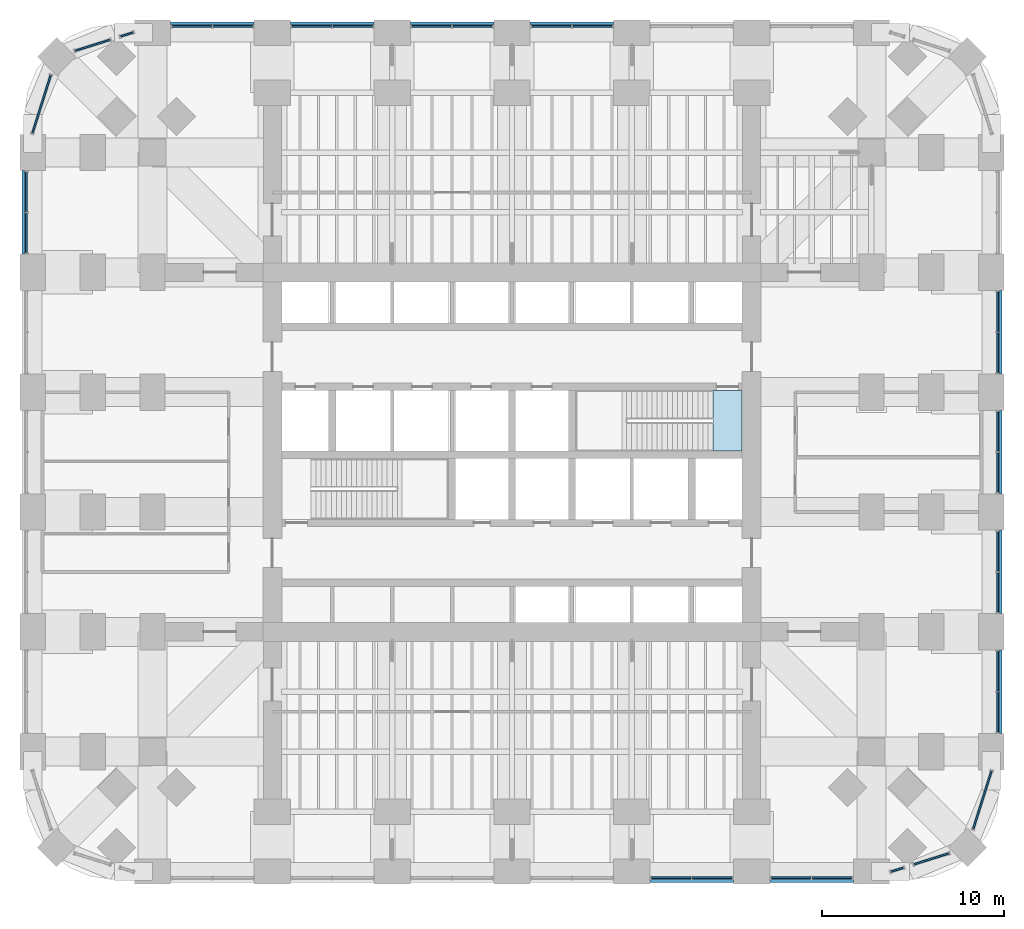
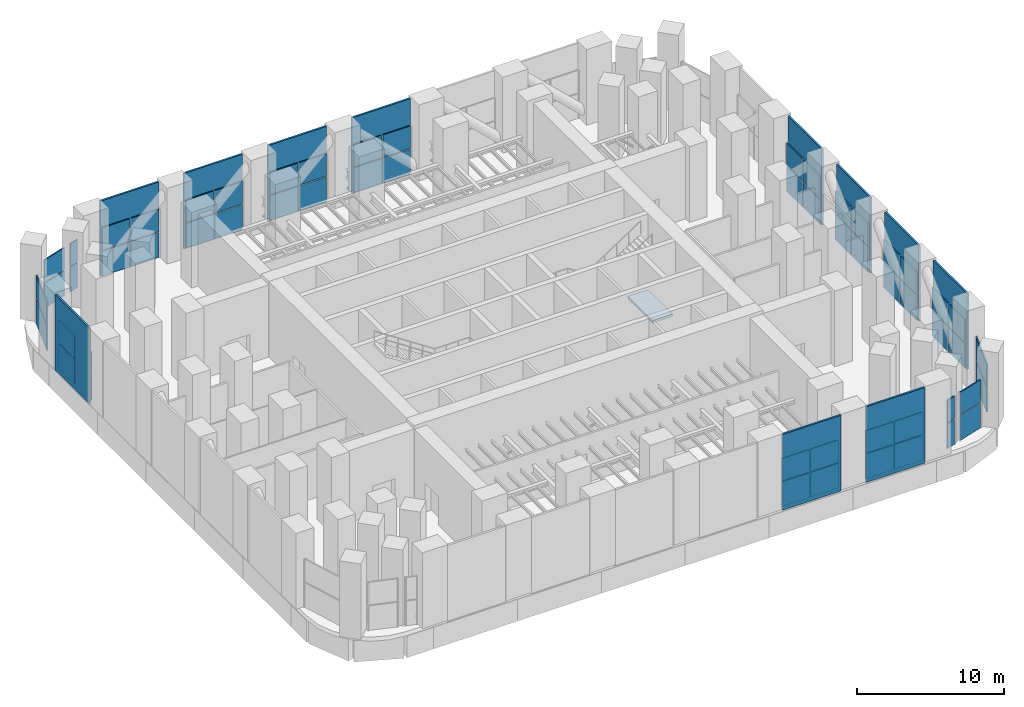
# One storey, part 12 of 17: 67 plates, 1 slab, 18 elements without a shape of their own.
"""IFC4 building model written with IfcOpenShell, lengths in metres."""

from ifc_helpers import new_model, si_unit, direction, frame, origin, origin_2d, place, context, subcontext, project, spatial, polyline, rectangle, outline, extrude, material, layer, layer_set, type_object, element, aggregate, save


model = new_model("IFC4")

# Units and contexts
model_context = context("Model", 3, precision=1e-05, world=origin(), true_north=direction((0.0, 1.0)))
body_context = subcontext(model_context, "Body", "Model", "MODEL_VIEW")
ifc_project = project(units=[si_unit("LENGTHUNIT", "METRE"), si_unit("AREAUNIT", "SQUARE_METRE"), si_unit("VOLUMEUNIT", "CUBIC_METRE"), si_unit("PLANEANGLEUNIT", "RADIAN"), si_unit("MASSUNIT", "GRAM", prefix="KILO")], contexts=[model_context])

# Site, building, storey
site_placement = place(None, origin())
site = spatial("IfcSite", under=ifc_project, at=site_placement, CompositionType="ELEMENT")
building_placement = place(site_placement, origin())
building = spatial("IfcBuilding", under=site, at=building_placement, Name="Cobogo Forest Laboratory Tower", CompositionType="ELEMENT")
storey_placement = place(building_placement, frame((0.0, 0.0, 75.89990234375)))
storey = spatial("IfcBuildingStorey", under=building, at=storey_placement, Name="L17", CompositionType="ELEMENT", Elevation=75.89990234375)

# Plates
ifc_material_1 = material(Name="Pierced concrete block", Category="concrete")
ifc_layer_1 = layer(ifc_material_1, 0.14990234375)
ifc_layer_set_1 = layer_set([ifc_layer_1], Name="CO2 cobogo block screen 150")
plate_type_1 = type_object("IfcPlateType", Name="CO2 cobogo block screen 150", PredefinedType="USERDEFINED", material=ifc_layer_set_1)
for number, where, z_axis, x_axis, name in (
    (1, (36.300048828125, -0.52490234375, -0.14990234375), (0.0, 0.0, 1.0), (1.0, 0.0, 0.0), "Cobogo screen S5 L17"),
    (2, (42.89990234375, -0.52490234375, -0.14990234375), (0.0, 0.0, 1.0), (1.0, 0.0, 0.0), "Cobogo screen S6 L17"),
    (3, (53.324951171875, 9.89990234375, -0.14990234375), (0.0, 0.0, 1.0), (0.0, 1.0, 0.0), "Cobogo screen E1 L17"),
    (4, (53.324951171875, 16.5, -0.14990234375), (0.0, 0.0, 1.0), (0.0, 1.0, 0.0), "Cobogo screen E2 L17"),
    (5, (53.324951171875, 23.10009765625, -0.14990234375), (0.0, 0.0, 1.0), (0.0, 1.0, 0.0), "Cobogo screen E3 L17"),
    (6, (53.324951171875, 29.699951171875, -0.14990234375), (0.0, 0.0, 1.0), (0.0, 1.0, 0.0), "Cobogo screen E4 L17"),
    (7, (9.89990234375, 46.72509765625, -0.14990234375), (0.0, 0.0, 1.0), (1.0, 0.0, 0.0), "Cobogo screen N1 L17"),
    (8, (16.5, 46.72509765625, -0.14990234375), (0.0, 0.0, 1.0), (1.0, 0.0, 0.0), "Cobogo screen N2 L17"),
    (9, (23.10009765625, 46.72509765625, -0.14990234375), (0.0, 0.0, 1.0), (1.0, 0.0, 0.0), "Cobogo screen N3 L17"),
    (10, (29.699951171875, 46.72509765625, -0.14990234375), (0.0, 0.0, 1.0), (1.0, 0.0, 0.0), "Cobogo screen N4 L17"),
    (11, (-0.52490234375, 36.300048828125, -0.14990234375), (0.0, 0.0, 1.0), (0.0, 1.0, 0.0), "Cobogo screen W5 L17"),
):
    element("IfcPlate", number, at=place(storey_placement, frame(where, z_axis=z_axis, x_axis=x_axis)), inside=storey, type_object=plate_type_1, Name=name, ObjectType="COBOGO SCREEN", PredefinedType="USERDEFINED", context=body_context, shape_type="SweptSolid", body=[
        extrude(rectangle(XDim=4.60009765625, YDim=0.14990234375, at=origin_2d()), origin(), (0.0, 0.0, 1.0), 6.300048828125),
    ])

# Curtain wall, plates
ifc_material_2 = material(Name="Aluminium curtain wall", Category="aluminium")
curtain_wall_type = type_object("IfcCurtainWallType", Name="CW-P louvred curtain wall, plant floors", PredefinedType="USERDEFINED", material=ifc_material_2)
curtain_wall_1_placement = place(storey_placement, origin())
curtain_wall_1 = element("IfcCurtainWall", 12, at=curtain_wall_1_placement, inside=storey, type_object=curtain_wall_type, Name="Curtain wall 05 L17", ObjectType="LOUVRED CURTAIN WALL", PredefinedType="USERDEFINED")
ifc_material_3 = material(Name="Aluminium louvre", Category="aluminium")
ifc_layer_2 = layer(ifc_material_3, 0.10009765625)
ifc_layer_set_2 = layer_set([ifc_layer_2], Name="LV-1 aluminium weather louvre panel 100")
plate_type_2 = type_object("IfcPlateType", Name="LV-1 aluminium weather louvre panel 100", PredefinedType="CURTAIN_PANEL", material=ifc_layer_set_2)
plate_1_placement = place(storey_placement, frame((35.169921875, -0.35009765625, 0.0), z_axis=(0.0, 0.0, 1.0), x_axis=(1.0, 0.0, 0.0)))
plate_1 = element("IfcPlate", 13, at=plate_1_placement, type_object=plate_type_2, Name="CW-P panel 1.1", PredefinedType="CURTAIN_PANEL", context=body_context, shape_type="SweptSolid", body=[
    extrude(rectangle(XDim=2.179931640625, YDim=0.10009765625, at=origin_2d()), origin(), (0.0, 0.0, 1.0), 2.06005859375),
])
plate_2_placement = place(storey_placement, frame((35.169921875, -0.35009765625, 2.14013671875), z_axis=(0.0, 0.0, 1.0), x_axis=(1.0, 0.0, 0.0)))
plate_2 = element("IfcPlate", 14, at=plate_2_placement, type_object=plate_type_2, Name="CW-P panel 1.2", PredefinedType="CURTAIN_PANEL", context=body_context, shape_type="SweptSolid", body=[
    extrude(rectangle(XDim=2.179931640625, YDim=0.10009765625, at=origin_2d()), origin(), (0.0, 0.0, 1.0), 1.860107421875),
])
plate_3_placement = place(storey_placement, frame((37.429931640625, -0.35009765625, 0.0), z_axis=(0.0, 0.0, 1.0), x_axis=(1.0, 0.0, 0.0)))
plate_3 = element("IfcPlate", 15, at=plate_3_placement, type_object=plate_type_2, Name="CW-P panel 2.1", PredefinedType="CURTAIN_PANEL", context=body_context, shape_type="SweptSolid", body=[
    extrude(rectangle(XDim=2.179931640625, YDim=0.10009765625, at=origin_2d()), origin(), (0.0, 0.0, 1.0), 2.06005859375),
])
plate_4_placement = place(storey_placement, frame((37.429931640625, -0.35009765625, 2.14013671875), z_axis=(0.0, 0.0, 1.0), x_axis=(1.0, 0.0, 0.0)))
plate_4 = element("IfcPlate", 16, at=plate_4_placement, type_object=plate_type_2, Name="CW-P panel 2.2", PredefinedType="CURTAIN_PANEL", context=body_context, shape_type="SweptSolid", body=[
    extrude(rectangle(XDim=2.179931640625, YDim=0.10009765625, at=origin_2d()), origin(), (0.0, 0.0, 1.0), 1.860107421875),
])
aggregate(curtain_wall_1, [plate_1, plate_2, plate_3, plate_4])

curtain_wall_2_placement = place(storey_placement, origin())
curtain_wall_2 = element("IfcCurtainWall", 17, at=curtain_wall_2_placement, inside=storey, type_object=curtain_wall_type, Name="Curtain wall 06 L17", ObjectType="LOUVRED CURTAIN WALL", PredefinedType="USERDEFINED")
plate_5_placement = place(storey_placement, frame((41.77001953125, -0.35009765625, 0.0), z_axis=(0.0, 0.0, 1.0), x_axis=(1.0, 0.0, 0.0)))
plate_5 = element("IfcPlate", 18, at=plate_5_placement, type_object=plate_type_2, Name="CW-P panel 1.1", PredefinedType="CURTAIN_PANEL", context=body_context, shape_type="SweptSolid", body=[
    extrude(rectangle(XDim=2.179931640625, YDim=0.10009765625, at=origin_2d()), origin(), (0.0, 0.0, 1.0), 2.06005859375),
])
plate_6_placement = place(storey_placement, frame((41.77001953125, -0.35009765625, 2.14013671875), z_axis=(0.0, 0.0, 1.0), x_axis=(1.0, 0.0, 0.0)))
plate_6 = element("IfcPlate", 19, at=plate_6_placement, type_object=plate_type_2, Name="CW-P panel 1.2", PredefinedType="CURTAIN_PANEL", context=body_context, shape_type="SweptSolid", body=[
    extrude(rectangle(XDim=2.179931640625, YDim=0.10009765625, at=origin_2d()), origin(), (0.0, 0.0, 1.0), 1.860107421875),
])
plate_7_placement = place(storey_placement, frame((44.030029296875, -0.35009765625, 0.0), z_axis=(0.0, 0.0, 1.0), x_axis=(1.0, 0.0, 0.0)))
plate_7 = element("IfcPlate", 20, at=plate_7_placement, type_object=plate_type_2, Name="CW-P panel 2.1", PredefinedType="CURTAIN_PANEL", context=body_context, shape_type="SweptSolid", body=[
    extrude(rectangle(XDim=2.179931640625, YDim=0.10009765625, at=origin_2d()), origin(), (0.0, 0.0, 1.0), 2.06005859375),
])
plate_8_placement = place(storey_placement, frame((44.030029296875, -0.35009765625, 2.14013671875), z_axis=(0.0, 0.0, 1.0), x_axis=(1.0, 0.0, 0.0)))
plate_8 = element("IfcPlate", 21, at=plate_8_placement, type_object=plate_type_2, Name="CW-P panel 2.2", PredefinedType="CURTAIN_PANEL", context=body_context, shape_type="SweptSolid", body=[
    extrude(rectangle(XDim=2.179931640625, YDim=0.10009765625, at=origin_2d()), origin(), (0.0, 0.0, 1.0), 1.860107421875),
])
aggregate(curtain_wall_2, [plate_5, plate_6, plate_7, plate_8])

curtain_wall_3_placement = place(storey_placement, origin())
curtain_wall_3 = element("IfcCurtainWall", 22, at=curtain_wall_3_placement, inside=storey, type_object=curtain_wall_type, Name="Curtain wall 07 L17", ObjectType="LOUVRED CURTAIN WALL", PredefinedType="USERDEFINED")
plate_9_placement = place(storey_placement, frame((47.614013671875, 0.0966796875, 0.0), z_axis=(0.0, 0.0, 1.0), x_axis=(0.953581151143, 0.301136162199, 0.0)))
plate_9 = element("IfcPlate", 23, at=plate_9_placement, type_object=plate_type_2, Name="CW-P panel 1.1", PredefinedType="CURTAIN_PANEL", context=body_context, shape_type="SweptSolid", body=[
    extrude(rectangle(XDim=0.70849609375, YDim=0.10009765625, at=origin_2d()), origin(), (0.0, 0.0, 1.0), 2.06005859375),
])
plate_10_placement = place(storey_placement, frame((47.614013671875, 0.0966796875, 2.14013671875), z_axis=(0.0, 0.0, 1.0), x_axis=(0.953581151143, 0.301136162199, 0.0)))
plate_10 = element("IfcPlate", 24, at=plate_10_placement, type_object=plate_type_2, Name="CW-P panel 1.2", PredefinedType="CURTAIN_PANEL", context=body_context, shape_type="SweptSolid", body=[
    extrude(rectangle(XDim=0.70849609375, YDim=0.10009765625, at=origin_2d()), origin(), (0.0, 0.0, 1.0), 1.860107421875),
])
aggregate(curtain_wall_3, [plate_9, plate_10])

curtain_wall_4_placement = place(storey_placement, origin())
curtain_wall_4 = element("IfcCurtainWall", 25, at=curtain_wall_4_placement, inside=storey, type_object=curtain_wall_type, Name="Curtain wall 08 L17", ObjectType="LOUVRED CURTAIN WALL", PredefinedType="USERDEFINED")
plate_11_placement = place(storey_placement, frame((49.507080078125, 0.6943359375, 0.0), z_axis=(0.0, 0.0, 1.0), x_axis=(0.953581348836, 0.301135536184, 0.0)))
plate_11 = element("IfcPlate", 26, at=plate_11_placement, type_object=plate_type_2, Name="CW-P panel 1.1", PredefinedType="CURTAIN_PANEL", context=body_context, shape_type="SweptSolid", body=[
    extrude(rectangle(XDim=1.99853515625, YDim=0.10009765625, at=origin_2d()), origin(), (0.0, 0.0, 1.0), 2.06005859375),
])
plate_12_placement = place(storey_placement, frame((49.507080078125, 0.6943359375, 2.14013671875), z_axis=(0.0, 0.0, 1.0), x_axis=(0.953581348836, 0.301135536184, 0.0)))
plate_12 = element("IfcPlate", 27, at=plate_12_placement, type_object=plate_type_2, Name="CW-P panel 1.2", PredefinedType="CURTAIN_PANEL", context=body_context, shape_type="SweptSolid", body=[
    extrude(rectangle(XDim=1.99853515625, YDim=0.10009765625, at=origin_2d()), origin(), (0.0, 0.0, 1.0), 1.860107421875),
])
aggregate(curtain_wall_4, [plate_11, plate_12])

curtain_wall_5_placement = place(storey_placement, origin())
curtain_wall_5 = element("IfcCurtainWall", 28, at=curtain_wall_5_placement, inside=storey, type_object=curtain_wall_type, Name="Curtain wall 09 L17", ObjectType="LOUVRED CURTAIN WALL", PredefinedType="USERDEFINED")
plate_13_placement = place(storey_placement, frame((52.307373046875, 3.931884765625, 0.0), z_axis=(0.0, 0.0, 1.0), x_axis=(0.301135635976, 0.953581317322, 0.0)))
plate_13 = element("IfcPlate", 29, at=plate_13_placement, type_object=plate_type_2, Name="CW-P panel 1.1", PredefinedType="CURTAIN_PANEL", context=body_context, shape_type="SweptSolid", body=[
    extrude(rectangle(XDim=3.338623046875, YDim=0.10009765625, at=origin_2d()), origin(), (0.0, 0.0, 1.0), 2.06005859375),
])
plate_14_placement = place(storey_placement, frame((52.307373046875, 3.931884765625, 2.14013671875), z_axis=(0.0, 0.0, 1.0), x_axis=(0.301135635976, 0.953581317322, 0.0)))
plate_14 = element("IfcPlate", 30, at=plate_14_placement, type_object=plate_type_2, Name="CW-P panel 1.2", PredefinedType="CURTAIN_PANEL", context=body_context, shape_type="SweptSolid", body=[
    extrude(rectangle(XDim=3.338623046875, YDim=0.10009765625, at=origin_2d()), origin(), (0.0, 0.0, 1.0), 1.860107421875),
])
aggregate(curtain_wall_5, [plate_13, plate_14])

curtain_wall_6_placement = place(storey_placement, origin())
curtain_wall_6 = element("IfcCurtainWall", 31, at=curtain_wall_6_placement, inside=storey, type_object=curtain_wall_type, Name="Curtain wall 10 L17", ObjectType="LOUVRED CURTAIN WALL", PredefinedType="USERDEFINED")
plate_15_placement = place(storey_placement, frame((53.14990234375, 8.77001953125, 0.0), z_axis=(0.0, 0.0, 1.0), x_axis=(0.0, 1.0, 0.0)))
plate_15 = element("IfcPlate", 32, at=plate_15_placement, type_object=plate_type_2, Name="CW-P panel 1.1", PredefinedType="CURTAIN_PANEL", context=body_context, shape_type="SweptSolid", body=[
    extrude(rectangle(XDim=2.179931640625, YDim=0.10009765625, at=origin_2d()), origin(), (0.0, 0.0, 1.0), 2.06005859375),
])
plate_16_placement = place(storey_placement, frame((53.14990234375, 8.77001953125, 2.14013671875), z_axis=(0.0, 0.0, 1.0), x_axis=(0.0, 1.0, 0.0)))
plate_16 = element("IfcPlate", 33, at=plate_16_placement, type_object=plate_type_2, Name="CW-P panel 1.2", PredefinedType="CURTAIN_PANEL", context=body_context, shape_type="SweptSolid", body=[
    extrude(rectangle(XDim=2.179931640625, YDim=0.10009765625, at=origin_2d()), origin(), (0.0, 0.0, 1.0), 1.860107421875),
])
plate_17_placement = place(storey_placement, frame((53.14990234375, 11.030029296875, 0.0), z_axis=(0.0, 0.0, 1.0), x_axis=(0.0, 1.0, 0.0)))
plate_17 = element("IfcPlate", 34, at=plate_17_placement, type_object=plate_type_2, Name="CW-P panel 2.1", PredefinedType="CURTAIN_PANEL", context=body_context, shape_type="SweptSolid", body=[
    extrude(rectangle(XDim=2.179931640625, YDim=0.10009765625, at=origin_2d()), origin(), (0.0, 0.0, 1.0), 2.06005859375),
])
plate_18_placement = place(storey_placement, frame((53.14990234375, 11.030029296875, 2.14013671875), z_axis=(0.0, 0.0, 1.0), x_axis=(0.0, 1.0, 0.0)))
plate_18 = element("IfcPlate", 35, at=plate_18_placement, type_object=plate_type_2, Name="CW-P panel 2.2", PredefinedType="CURTAIN_PANEL", context=body_context, shape_type="SweptSolid", body=[
    extrude(rectangle(XDim=2.179931640625, YDim=0.10009765625, at=origin_2d()), origin(), (0.0, 0.0, 1.0), 1.860107421875),
])
aggregate(curtain_wall_6, [plate_15, plate_16, plate_17, plate_18])

curtain_wall_7_placement = place(storey_placement, origin())
curtain_wall_7 = element("IfcCurtainWall", 36, at=curtain_wall_7_placement, inside=storey, type_object=curtain_wall_type, Name="Curtain wall 11 L17", ObjectType="LOUVRED CURTAIN WALL", PredefinedType="USERDEFINED")
plate_19_placement = place(storey_placement, frame((53.14990234375, 15.3701171875, 0.0), z_axis=(0.0, 0.0, 1.0), x_axis=(0.0, 1.0, 0.0)))
plate_19 = element("IfcPlate", 37, at=plate_19_placement, type_object=plate_type_2, Name="CW-P panel 1.1", PredefinedType="CURTAIN_PANEL", context=body_context, shape_type="SweptSolid", body=[
    extrude(rectangle(XDim=2.179931640625, YDim=0.10009765625, at=origin_2d()), origin(), (0.0, 0.0, 1.0), 2.06005859375),
])
plate_20_placement = place(storey_placement, frame((53.14990234375, 15.3701171875, 2.14013671875), z_axis=(0.0, 0.0, 1.0), x_axis=(0.0, 1.0, 0.0)))
plate_20 = element("IfcPlate", 38, at=plate_20_placement, type_object=plate_type_2, Name="CW-P panel 1.2", PredefinedType="CURTAIN_PANEL", context=body_context, shape_type="SweptSolid", body=[
    extrude(rectangle(XDim=2.179931640625, YDim=0.10009765625, at=origin_2d()), origin(), (0.0, 0.0, 1.0), 1.860107421875),
])
plate_21_placement = place(storey_placement, frame((53.14990234375, 17.6298828125, 0.0), z_axis=(0.0, 0.0, 1.0), x_axis=(0.0, 1.0, 0.0)))
plate_21 = element("IfcPlate", 39, at=plate_21_placement, type_object=plate_type_2, Name="CW-P panel 2.1", PredefinedType="CURTAIN_PANEL", context=body_context, shape_type="SweptSolid", body=[
    extrude(rectangle(XDim=2.179931640625, YDim=0.10009765625, at=origin_2d()), origin(), (0.0, 0.0, 1.0), 2.06005859375),
])
plate_22_placement = place(storey_placement, frame((53.14990234375, 17.6298828125, 2.14013671875), z_axis=(0.0, 0.0, 1.0), x_axis=(0.0, 1.0, 0.0)))
plate_22 = element("IfcPlate", 40, at=plate_22_placement, type_object=plate_type_2, Name="CW-P panel 2.2", PredefinedType="CURTAIN_PANEL", context=body_context, shape_type="SweptSolid", body=[
    extrude(rectangle(XDim=2.179931640625, YDim=0.10009765625, at=origin_2d()), origin(), (0.0, 0.0, 1.0), 1.860107421875),
])
aggregate(curtain_wall_7, [plate_19, plate_20, plate_21, plate_22])

curtain_wall_8_placement = place(storey_placement, origin())
curtain_wall_8 = element("IfcCurtainWall", 41, at=curtain_wall_8_placement, inside=storey, type_object=curtain_wall_type, Name="Curtain wall 12 L17", ObjectType="LOUVRED CURTAIN WALL", PredefinedType="USERDEFINED")
plate_23_placement = place(storey_placement, frame((53.14990234375, 21.969970703125, 0.0), z_axis=(0.0, 0.0, 1.0), x_axis=(0.0, 1.0, 0.0)))
plate_23 = element("IfcPlate", 42, at=plate_23_placement, type_object=plate_type_2, Name="CW-P panel 1.1", PredefinedType="CURTAIN_PANEL", context=body_context, shape_type="SweptSolid", body=[
    extrude(rectangle(XDim=2.179931640625, YDim=0.10009765625, at=origin_2d()), origin(), (0.0, 0.0, 1.0), 2.06005859375),
])
plate_24_placement = place(storey_placement, frame((53.14990234375, 21.969970703125, 2.14013671875), z_axis=(0.0, 0.0, 1.0), x_axis=(0.0, 1.0, 0.0)))
plate_24 = element("IfcPlate", 43, at=plate_24_placement, type_object=plate_type_2, Name="CW-P panel 1.2", PredefinedType="CURTAIN_PANEL", context=body_context, shape_type="SweptSolid", body=[
    extrude(rectangle(XDim=2.179931640625, YDim=0.10009765625, at=origin_2d()), origin(), (0.0, 0.0, 1.0), 1.860107421875),
])
plate_25_placement = place(storey_placement, frame((53.14990234375, 24.22998046875, 0.0), z_axis=(0.0, 0.0, 1.0), x_axis=(0.0, 1.0, 0.0)))
plate_25 = element("IfcPlate", 44, at=plate_25_placement, type_object=plate_type_2, Name="CW-P panel 2.1", PredefinedType="CURTAIN_PANEL", context=body_context, shape_type="SweptSolid", body=[
    extrude(rectangle(XDim=2.179931640625, YDim=0.10009765625, at=origin_2d()), origin(), (0.0, 0.0, 1.0), 2.06005859375),
])
plate_26_placement = place(storey_placement, frame((53.14990234375, 24.22998046875, 2.14013671875), z_axis=(0.0, 0.0, 1.0), x_axis=(0.0, 1.0, 0.0)))
plate_26 = element("IfcPlate", 45, at=plate_26_placement, type_object=plate_type_2, Name="CW-P panel 2.2", PredefinedType="CURTAIN_PANEL", context=body_context, shape_type="SweptSolid", body=[
    extrude(rectangle(XDim=2.179931640625, YDim=0.10009765625, at=origin_2d()), origin(), (0.0, 0.0, 1.0), 1.860107421875),
])
aggregate(curtain_wall_8, [plate_23, plate_24, plate_25, plate_26])

curtain_wall_9_placement = place(storey_placement, origin())
curtain_wall_9 = element("IfcCurtainWall", 46, at=curtain_wall_9_placement, inside=storey, type_object=curtain_wall_type, Name="Curtain wall 13 L17", ObjectType="LOUVRED CURTAIN WALL", PredefinedType="USERDEFINED")
plate_27_placement = place(storey_placement, frame((53.14990234375, 28.570068359375, 0.0), z_axis=(0.0, 0.0, 1.0), x_axis=(0.0, 1.0, 0.0)))
plate_27 = element("IfcPlate", 47, at=plate_27_placement, type_object=plate_type_2, Name="CW-P panel 1.1", PredefinedType="CURTAIN_PANEL", context=body_context, shape_type="SweptSolid", body=[
    extrude(rectangle(XDim=2.179931640625, YDim=0.10009765625, at=origin_2d()), origin(), (0.0, 0.0, 1.0), 2.06005859375),
])
plate_28_placement = place(storey_placement, frame((53.14990234375, 28.570068359375, 2.14013671875), z_axis=(0.0, 0.0, 1.0), x_axis=(0.0, 1.0, 0.0)))
plate_28 = element("IfcPlate", 48, at=plate_28_placement, type_object=plate_type_2, Name="CW-P panel 1.2", PredefinedType="CURTAIN_PANEL", context=body_context, shape_type="SweptSolid", body=[
    extrude(rectangle(XDim=2.179931640625, YDim=0.10009765625, at=origin_2d()), origin(), (0.0, 0.0, 1.0), 1.860107421875),
])
plate_29_placement = place(storey_placement, frame((53.14990234375, 30.830078125, 0.0), z_axis=(0.0, 0.0, 1.0), x_axis=(0.0, 1.0, 0.0)))
plate_29 = element("IfcPlate", 49, at=plate_29_placement, type_object=plate_type_2, Name="CW-P panel 2.1", PredefinedType="CURTAIN_PANEL", context=body_context, shape_type="SweptSolid", body=[
    extrude(rectangle(XDim=2.179931640625, YDim=0.10009765625, at=origin_2d()), origin(), (0.0, 0.0, 1.0), 2.06005859375),
])
plate_30_placement = place(storey_placement, frame((53.14990234375, 30.830078125, 2.14013671875), z_axis=(0.0, 0.0, 1.0), x_axis=(0.0, 1.0, 0.0)))
plate_30 = element("IfcPlate", 50, at=plate_30_placement, type_object=plate_type_2, Name="CW-P panel 2.2", PredefinedType="CURTAIN_PANEL", context=body_context, shape_type="SweptSolid", body=[
    extrude(rectangle(XDim=2.179931640625, YDim=0.10009765625, at=origin_2d()), origin(), (0.0, 0.0, 1.0), 1.860107421875),
])
aggregate(curtain_wall_9, [plate_27, plate_28, plate_29, plate_30])

curtain_wall_10_placement = place(storey_placement, origin())
curtain_wall_10 = element("IfcCurtainWall", 51, at=curtain_wall_10_placement, inside=storey, type_object=curtain_wall_type, Name="Curtain wall 20 L17", ObjectType="LOUVRED CURTAIN WALL", PredefinedType="USERDEFINED")
plate_31_placement = place(storey_placement, frame((30.830078125, 46.550048828125, 0.0), z_axis=(0.0, 0.0, 1.0), x_axis=(-1.0, 0.0, 0.0)))
plate_31 = element("IfcPlate", 52, at=plate_31_placement, type_object=plate_type_2, Name="CW-P panel 1.1", PredefinedType="CURTAIN_PANEL", context=body_context, shape_type="SweptSolid", body=[
    extrude(rectangle(XDim=2.179931640625, YDim=0.10009765625, at=origin_2d()), origin(), (0.0, 0.0, 1.0), 2.06005859375),
])
plate_32_placement = place(storey_placement, frame((30.830078125, 46.550048828125, 2.14013671875), z_axis=(0.0, 0.0, 1.0), x_axis=(-1.0, 0.0, 0.0)))
plate_32 = element("IfcPlate", 53, at=plate_32_placement, type_object=plate_type_2, Name="CW-P panel 1.2", PredefinedType="CURTAIN_PANEL", context=body_context, shape_type="SweptSolid", body=[
    extrude(rectangle(XDim=2.179931640625, YDim=0.10009765625, at=origin_2d()), origin(), (0.0, 0.0, 1.0), 1.860107421875),
])
plate_33_placement = place(storey_placement, frame((28.570068359375, 46.550048828125, 0.0), z_axis=(0.0, 0.0, 1.0), x_axis=(-1.0, 0.0, 0.0)))
plate_33 = element("IfcPlate", 54, at=plate_33_placement, type_object=plate_type_2, Name="CW-P panel 2.1", PredefinedType="CURTAIN_PANEL", context=body_context, shape_type="SweptSolid", body=[
    extrude(rectangle(XDim=2.179931640625, YDim=0.10009765625, at=origin_2d()), origin(), (0.0, 0.0, 1.0), 2.06005859375),
])
plate_34_placement = place(storey_placement, frame((28.570068359375, 46.550048828125, 2.14013671875), z_axis=(0.0, 0.0, 1.0), x_axis=(-1.0, 0.0, 0.0)))
plate_34 = element("IfcPlate", 55, at=plate_34_placement, type_object=plate_type_2, Name="CW-P panel 2.2", PredefinedType="CURTAIN_PANEL", context=body_context, shape_type="SweptSolid", body=[
    extrude(rectangle(XDim=2.179931640625, YDim=0.10009765625, at=origin_2d()), origin(), (0.0, 0.0, 1.0), 1.860107421875),
])
aggregate(curtain_wall_10, [plate_31, plate_32, plate_33, plate_34])

curtain_wall_11_placement = place(storey_placement, origin())
curtain_wall_11 = element("IfcCurtainWall", 56, at=curtain_wall_11_placement, inside=storey, type_object=curtain_wall_type, Name="Curtain wall 21 L17", ObjectType="LOUVRED CURTAIN WALL", PredefinedType="USERDEFINED")
plate_35_placement = place(storey_placement, frame((24.22998046875, 46.550048828125, 0.0), z_axis=(0.0, 0.0, 1.0), x_axis=(-1.0, 0.0, 0.0)))
plate_35 = element("IfcPlate", 57, at=plate_35_placement, type_object=plate_type_2, Name="CW-P panel 1.1", PredefinedType="CURTAIN_PANEL", context=body_context, shape_type="SweptSolid", body=[
    extrude(rectangle(XDim=2.179931640625, YDim=0.10009765625, at=origin_2d()), origin(), (0.0, 0.0, 1.0), 2.06005859375),
])
plate_36_placement = place(storey_placement, frame((24.22998046875, 46.550048828125, 2.14013671875), z_axis=(0.0, 0.0, 1.0), x_axis=(-1.0, 0.0, 0.0)))
plate_36 = element("IfcPlate", 58, at=plate_36_placement, type_object=plate_type_2, Name="CW-P panel 1.2", PredefinedType="CURTAIN_PANEL", context=body_context, shape_type="SweptSolid", body=[
    extrude(rectangle(XDim=2.179931640625, YDim=0.10009765625, at=origin_2d()), origin(), (0.0, 0.0, 1.0), 1.860107421875),
])
plate_37_placement = place(storey_placement, frame((21.969970703125, 46.550048828125, 0.0), z_axis=(0.0, 0.0, 1.0), x_axis=(-1.0, 0.0, 0.0)))
plate_37 = element("IfcPlate", 59, at=plate_37_placement, type_object=plate_type_2, Name="CW-P panel 2.1", PredefinedType="CURTAIN_PANEL", context=body_context, shape_type="SweptSolid", body=[
    extrude(rectangle(XDim=2.179931640625, YDim=0.10009765625, at=origin_2d()), origin(), (0.0, 0.0, 1.0), 2.06005859375),
])
plate_38_placement = place(storey_placement, frame((21.969970703125, 46.550048828125, 2.14013671875), z_axis=(0.0, 0.0, 1.0), x_axis=(-1.0, 0.0, 0.0)))
plate_38 = element("IfcPlate", 60, at=plate_38_placement, type_object=plate_type_2, Name="CW-P panel 2.2", PredefinedType="CURTAIN_PANEL", context=body_context, shape_type="SweptSolid", body=[
    extrude(rectangle(XDim=2.179931640625, YDim=0.10009765625, at=origin_2d()), origin(), (0.0, 0.0, 1.0), 1.860107421875),
])
aggregate(curtain_wall_11, [plate_35, plate_36, plate_37, plate_38])

curtain_wall_12_placement = place(storey_placement, origin())
curtain_wall_12 = element("IfcCurtainWall", 61, at=curtain_wall_12_placement, inside=storey, type_object=curtain_wall_type, Name="Curtain wall 22 L17", ObjectType="LOUVRED CURTAIN WALL", PredefinedType="USERDEFINED")
plate_39_placement = place(storey_placement, frame((17.6298828125, 46.550048828125, 0.0), z_axis=(0.0, 0.0, 1.0), x_axis=(-1.0, 0.0, 0.0)))
plate_39 = element("IfcPlate", 62, at=plate_39_placement, type_object=plate_type_2, Name="CW-P panel 1.1", PredefinedType="CURTAIN_PANEL", context=body_context, shape_type="SweptSolid", body=[
    extrude(rectangle(XDim=2.179931640625, YDim=0.10009765625, at=origin_2d()), origin(), (0.0, 0.0, 1.0), 2.06005859375),
])
plate_40_placement = place(storey_placement, frame((17.6298828125, 46.550048828125, 2.14013671875), z_axis=(0.0, 0.0, 1.0), x_axis=(-1.0, 0.0, 0.0)))
plate_40 = element("IfcPlate", 63, at=plate_40_placement, type_object=plate_type_2, Name="CW-P panel 1.2", PredefinedType="CURTAIN_PANEL", context=body_context, shape_type="SweptSolid", body=[
    extrude(rectangle(XDim=2.179931640625, YDim=0.10009765625, at=origin_2d()), origin(), (0.0, 0.0, 1.0), 1.860107421875),
])
plate_41_placement = place(storey_placement, frame((15.3701171875, 46.550048828125, 0.0), z_axis=(0.0, 0.0, 1.0), x_axis=(-1.0, 0.0, 0.0)))
plate_41 = element("IfcPlate", 64, at=plate_41_placement, type_object=plate_type_2, Name="CW-P panel 2.1", PredefinedType="CURTAIN_PANEL", context=body_context, shape_type="SweptSolid", body=[
    extrude(rectangle(XDim=2.179931640625, YDim=0.10009765625, at=origin_2d()), origin(), (0.0, 0.0, 1.0), 2.06005859375),
])
plate_42_placement = place(storey_placement, frame((15.3701171875, 46.550048828125, 2.14013671875), z_axis=(0.0, 0.0, 1.0), x_axis=(-1.0, 0.0, 0.0)))
plate_42 = element("IfcPlate", 65, at=plate_42_placement, type_object=plate_type_2, Name="CW-P panel 2.2", PredefinedType="CURTAIN_PANEL", context=body_context, shape_type="SweptSolid", body=[
    extrude(rectangle(XDim=2.179931640625, YDim=0.10009765625, at=origin_2d()), origin(), (0.0, 0.0, 1.0), 1.860107421875),
])
aggregate(curtain_wall_12, [plate_39, plate_40, plate_41, plate_42])

curtain_wall_13_placement = place(storey_placement, origin())
curtain_wall_13 = element("IfcCurtainWall", 66, at=curtain_wall_13_placement, inside=storey, type_object=curtain_wall_type, Name="Curtain wall 23 L17", ObjectType="LOUVRED CURTAIN WALL", PredefinedType="USERDEFINED")
plate_43_placement = place(storey_placement, frame((11.030029296875, 46.550048828125, 0.0), z_axis=(0.0, 0.0, 1.0), x_axis=(-1.0, 0.0, 0.0)))
plate_43 = element("IfcPlate", 67, at=plate_43_placement, type_object=plate_type_2, Name="CW-P panel 1.1", PredefinedType="CURTAIN_PANEL", context=body_context, shape_type="SweptSolid", body=[
    extrude(rectangle(XDim=2.179931640625, YDim=0.10009765625, at=origin_2d()), origin(), (0.0, 0.0, 1.0), 2.06005859375),
])
plate_44_placement = place(storey_placement, frame((11.030029296875, 46.550048828125, 2.14013671875), z_axis=(0.0, 0.0, 1.0), x_axis=(-1.0, 0.0, 0.0)))
plate_44 = element("IfcPlate", 68, at=plate_44_placement, type_object=plate_type_2, Name="CW-P panel 1.2", PredefinedType="CURTAIN_PANEL", context=body_context, shape_type="SweptSolid", body=[
    extrude(rectangle(XDim=2.179931640625, YDim=0.10009765625, at=origin_2d()), origin(), (0.0, 0.0, 1.0), 1.860107421875),
])
plate_45_placement = place(storey_placement, frame((8.77001953125, 46.550048828125, 0.0), z_axis=(0.0, 0.0, 1.0), x_axis=(-1.0, 0.0, 0.0)))
plate_45 = element("IfcPlate", 69, at=plate_45_placement, type_object=plate_type_2, Name="CW-P panel 2.1", PredefinedType="CURTAIN_PANEL", context=body_context, shape_type="SweptSolid", body=[
    extrude(rectangle(XDim=2.179931640625, YDim=0.10009765625, at=origin_2d()), origin(), (0.0, 0.0, 1.0), 2.06005859375),
])
plate_46_placement = place(storey_placement, frame((8.77001953125, 46.550048828125, 2.14013671875), z_axis=(0.0, 0.0, 1.0), x_axis=(-1.0, 0.0, 0.0)))
plate_46 = element("IfcPlate", 70, at=plate_46_placement, type_object=plate_type_2, Name="CW-P panel 2.2", PredefinedType="CURTAIN_PANEL", context=body_context, shape_type="SweptSolid", body=[
    extrude(rectangle(XDim=2.179931640625, YDim=0.10009765625, at=origin_2d()), origin(), (0.0, 0.0, 1.0), 1.860107421875),
])
aggregate(curtain_wall_13, [plate_43, plate_44, plate_45, plate_46])

curtain_wall_14_placement = place(storey_placement, origin())
curtain_wall_14 = element("IfcCurtainWall", 71, at=curtain_wall_14_placement, inside=storey, type_object=curtain_wall_type, Name="Curtain wall 24 L17", ObjectType="LOUVRED CURTAIN WALL", PredefinedType="USERDEFINED")
plate_47_placement = place(storey_placement, frame((5.18603515625, 46.103515625, 0.0), z_axis=(0.0, 0.0, 1.0), x_axis=(-0.953581151143, -0.301136162199, 0.0)))
plate_47 = element("IfcPlate", 72, at=plate_47_placement, type_object=plate_type_2, Name="CW-P panel 1.1", PredefinedType="CURTAIN_PANEL", context=body_context, shape_type="SweptSolid", body=[
    extrude(rectangle(XDim=0.70849609375, YDim=0.10009765625, at=origin_2d()), origin(), (0.0, 0.0, 1.0), 2.06005859375),
])
plate_48_placement = place(storey_placement, frame((5.18603515625, 46.103515625, 2.14013671875), z_axis=(0.0, 0.0, 1.0), x_axis=(-0.953581151143, -0.301136162199, 0.0)))
plate_48 = element("IfcPlate", 73, at=plate_48_placement, type_object=plate_type_2, Name="CW-P panel 1.2", PredefinedType="CURTAIN_PANEL", context=body_context, shape_type="SweptSolid", body=[
    extrude(rectangle(XDim=0.70849609375, YDim=0.10009765625, at=origin_2d()), origin(), (0.0, 0.0, 1.0), 1.860107421875),
])
aggregate(curtain_wall_14, [plate_47, plate_48])

curtain_wall_15_placement = place(storey_placement, origin())
curtain_wall_15 = element("IfcCurtainWall", 74, at=curtain_wall_15_placement, inside=storey, type_object=curtain_wall_type, Name="Curtain wall 25 L17", ObjectType="LOUVRED CURTAIN WALL", PredefinedType="USERDEFINED")
plate_49_placement = place(storey_placement, frame((3.29296875, 45.505615234375, 0.0), z_axis=(0.0, 0.0, 1.0), x_axis=(-0.953581348836, -0.301135536184, 0.0)))
plate_49 = element("IfcPlate", 75, at=plate_49_placement, type_object=plate_type_2, Name="CW-P panel 1.1", PredefinedType="CURTAIN_PANEL", context=body_context, shape_type="SweptSolid", body=[
    extrude(rectangle(XDim=1.99853515625, YDim=0.10009765625, at=origin_2d()), origin(), (0.0, 0.0, 1.0), 2.06005859375),
])
plate_50_placement = place(storey_placement, frame((3.29296875, 45.505615234375, 2.14013671875), z_axis=(0.0, 0.0, 1.0), x_axis=(-0.953581348836, -0.301135536184, 0.0)))
plate_50 = element("IfcPlate", 76, at=plate_50_placement, type_object=plate_type_2, Name="CW-P panel 1.2", PredefinedType="CURTAIN_PANEL", context=body_context, shape_type="SweptSolid", body=[
    extrude(rectangle(XDim=1.99853515625, YDim=0.10009765625, at=origin_2d()), origin(), (0.0, 0.0, 1.0), 1.860107421875),
])
aggregate(curtain_wall_15, [plate_49, plate_50])

curtain_wall_16_placement = place(storey_placement, origin())
curtain_wall_16 = element("IfcCurtainWall", 77, at=curtain_wall_16_placement, inside=storey, type_object=curtain_wall_type, Name="Curtain wall 26 L17", ObjectType="LOUVRED CURTAIN WALL", PredefinedType="USERDEFINED")
plate_51_placement = place(storey_placement, frame((0.49267578125, 42.26806640625, 0.0), z_axis=(0.0, 0.0, 1.0), x_axis=(-0.301135635976, -0.953581317322, 0.0)))
plate_51 = element("IfcPlate", 78, at=plate_51_placement, type_object=plate_type_2, Name="CW-P panel 1.1", PredefinedType="CURTAIN_PANEL", context=body_context, shape_type="SweptSolid", body=[
    extrude(rectangle(XDim=3.338623046875, YDim=0.10009765625, at=origin_2d()), origin(), (0.0, 0.0, 1.0), 2.06005859375),
])
plate_52_placement = place(storey_placement, frame((0.49267578125, 42.26806640625, 2.14013671875), z_axis=(0.0, 0.0, 1.0), x_axis=(-0.301135635976, -0.953581317322, 0.0)))
plate_52 = element("IfcPlate", 79, at=plate_52_placement, type_object=plate_type_2, Name="CW-P panel 1.2", PredefinedType="CURTAIN_PANEL", context=body_context, shape_type="SweptSolid", body=[
    extrude(rectangle(XDim=3.338623046875, YDim=0.10009765625, at=origin_2d()), origin(), (0.0, 0.0, 1.0), 1.860107421875),
])
aggregate(curtain_wall_16, [plate_51, plate_52])

curtain_wall_17_placement = place(storey_placement, origin())
curtain_wall_17 = element("IfcCurtainWall", 80, at=curtain_wall_17_placement, inside=storey, type_object=curtain_wall_type, Name="Curtain wall 27 L17", ObjectType="LOUVRED CURTAIN WALL", PredefinedType="USERDEFINED")
plate_53_placement = place(storey_placement, frame((-0.35009765625, 37.429931640625, 0.0), z_axis=(0.0, 0.0, 1.0), x_axis=(0.0, -1.0, 0.0)))
plate_53 = element("IfcPlate", 81, at=plate_53_placement, type_object=plate_type_2, Name="CW-P panel 1.1", PredefinedType="CURTAIN_PANEL", context=body_context, shape_type="SweptSolid", body=[
    extrude(rectangle(XDim=2.179931640625, YDim=0.10009765625, at=origin_2d()), origin(), (0.0, 0.0, 1.0), 2.06005859375),
])
plate_54_placement = place(storey_placement, frame((-0.35009765625, 37.429931640625, 2.14013671875), z_axis=(0.0, 0.0, 1.0), x_axis=(0.0, -1.0, 0.0)))
plate_54 = element("IfcPlate", 82, at=plate_54_placement, type_object=plate_type_2, Name="CW-P panel 1.2", PredefinedType="CURTAIN_PANEL", context=body_context, shape_type="SweptSolid", body=[
    extrude(rectangle(XDim=2.179931640625, YDim=0.10009765625, at=origin_2d()), origin(), (0.0, 0.0, 1.0), 1.860107421875),
])
plate_55_placement = place(storey_placement, frame((-0.35009765625, 35.169921875, 0.0), z_axis=(0.0, 0.0, 1.0), x_axis=(0.0, -1.0, 0.0)))
plate_55 = element("IfcPlate", 83, at=plate_55_placement, type_object=plate_type_2, Name="CW-P panel 2.1", PredefinedType="CURTAIN_PANEL", context=body_context, shape_type="SweptSolid", body=[
    extrude(rectangle(XDim=2.179931640625, YDim=0.10009765625, at=origin_2d()), origin(), (0.0, 0.0, 1.0), 2.06005859375),
])
plate_56_placement = place(storey_placement, frame((-0.35009765625, 35.169921875, 2.14013671875), z_axis=(0.0, 0.0, 1.0), x_axis=(0.0, -1.0, 0.0)))
plate_56 = element("IfcPlate", 84, at=plate_56_placement, type_object=plate_type_2, Name="CW-P panel 2.2", PredefinedType="CURTAIN_PANEL", context=body_context, shape_type="SweptSolid", body=[
    extrude(rectangle(XDim=2.179931640625, YDim=0.10009765625, at=origin_2d()), origin(), (0.0, 0.0, 1.0), 1.860107421875),
])
aggregate(curtain_wall_17, [plate_53, plate_54, plate_55, plate_56])

# Stair, slab
ifc_material_4 = material(Name="Precast concrete HA-40 (C40/50)", Category="concrete")
stair_type = type_object("IfcStairType", Name="ST36 exit stair 36 risers", PredefinedType="HALF_TURN_STAIR", material=ifc_material_4)
stair_placement = place(storey_placement, origin())
stair = element("IfcStair", 85, at=stair_placement, inside=storey, type_object=stair_type, Name="Stair 2 L17 to L18", PredefinedType="HALF_TURN_STAIR")
ifc_material_5 = material(Name="Concrete HA-40 (C40/50)", Category="concrete")
ifc_layer_3 = layer(ifc_material_5, 0.199951171875)
ifc_layer_set_3 = layer_set([ifc_layer_3], Name="SL stair landing 200")
slab_type = type_object("IfcSlabType", Name="SL stair landing 200", PredefinedType="LANDING", material=ifc_layer_set_3)
slab_placement = place(storey_placement, frame((0.0, 0.0, -0.199951171875)))
slab = element("IfcSlab", 86, at=slab_placement, type_object=slab_type, Name="ST2 landing 1", PredefinedType="LANDING", context=body_context, shape_type="SweptSolid", body=[
    extrude(outline(polyline([(37.472900390625, 23.14990234375), (39.074951171875, 23.14990234375), (39.074951171875, 26.5), (37.472900390625, 26.5), (37.472900390625, 23.14990234375)])), origin(), (0.0, 0.0, 1.0), 0.199951171875),
])
aggregate(stair, [slab])

save(model, "model.ifc")
